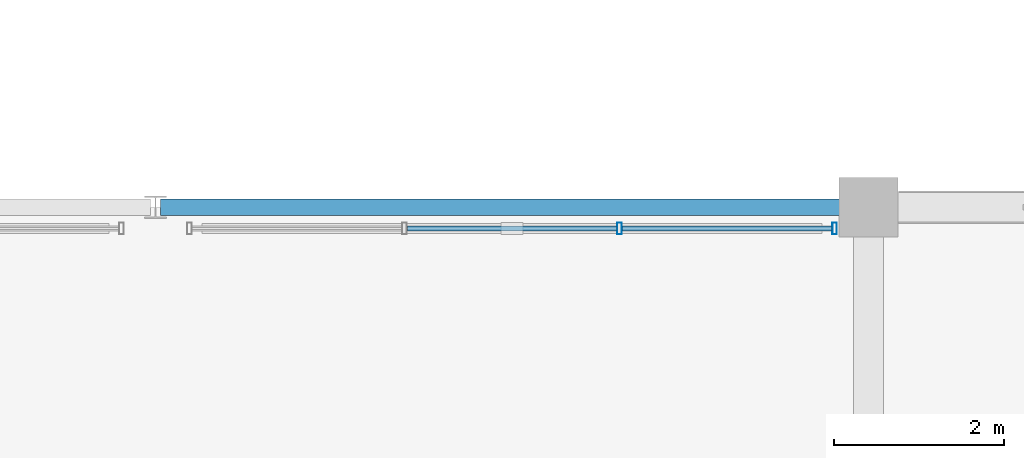
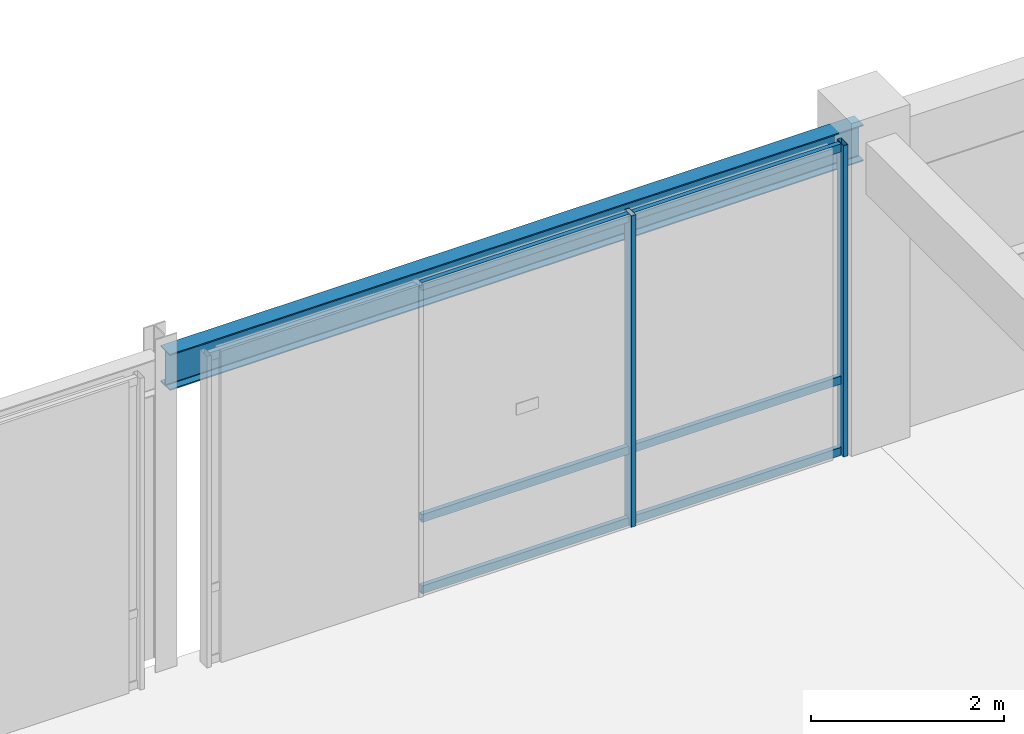
# One storey, part 44 of 152: 8 members, 1 beam, 1 element without a shape of its own.
"""IFC4 building model written with IfcOpenShell, lengths in metres."""

from ifc_helpers import new_model, si_unit, direction, frame, origin, origin_2d, place, context, subcontext, project, spatial, hollow_rectangle, i_section, extrude, material, material_profile, profile_set, type_object, element, aggregate, save


model = new_model("IFC4")

# Units and contexts
model_context = context("Model", 3, precision=1e-05, world=origin(), true_north=direction((0.0, 1.0)))
body_context = subcontext(model_context, "Body", "Model", "MODEL_VIEW")
ifc_project = project(units=[si_unit("LENGTHUNIT", "METRE"), si_unit("AREAUNIT", "SQUARE_METRE"), si_unit("VOLUMEUNIT", "CUBIC_METRE"), si_unit("PLANEANGLEUNIT", "RADIAN"), si_unit("MASSUNIT", "GRAM", prefix="KILO"), si_unit("THERMODYNAMICTEMPERATUREUNIT", "KELVIN"), si_unit("POWERUNIT", "WATT")], contexts=[model_context])

# Site, building, storey
site_placement = place(None, origin())
site = spatial("IfcSite", under=ifc_project, at=site_placement, CompositionType="ELEMENT")
building_placement = place(site_placement, origin())
building = spatial("IfcBuilding", under=site, at=building_placement, Name="Darbajah Civic Hall", CompositionType="ELEMENT")
storey_placement = place(building_placement, frame((0.0, 0.0, 5.39990234375)))
storey = spatial("IfcBuildingStorey", under=building, at=storey_placement, Name="L01", CompositionType="ELEMENT", Elevation=5.39990234375)

# Curtain wall, members
ifc_material_1 = material(Name="Anodised Bronze Aluminium and Low-E Glazing", Category="aluminium")
curtain_wall_type = type_object("IfcCurtainWallType", Name="Unitised Curtain Wall CW-103 7600x3950", PredefinedType="USERDEFINED", material=ifc_material_1)
curtain_wall_placement = place(storey_placement, origin())
curtain_wall = element("IfcCurtainWall", 1, at=curtain_wall_placement, inside=storey, type_object=curtain_wall_type, Name="L01 unitised curtain wall CW-V6-SE-N2-L01", ObjectType="UNITISED CURTAIN WALL", PredefinedType="USERDEFINED")
ifc_material_2 = material(Name="Anodised Bronze Aluminium", Category="aluminium")
ifc_material_profile_1 = material_profile(ifc_material_2, hollow_rectangle(XDim=0.054931640625, YDim=0.139892578125, WallThickness=0.003173828125, at=origin_2d()), Name="ALU MULLION 55x140")
ifc_profile_set_1 = profile_set([ifc_material_profile_1], Name="Anodised Bronze Aluminium")
member_type_1 = type_object("IfcMemberType", Name="ALU MULLION 55x140", PredefinedType="MULLION", material=ifc_profile_set_1)
member_1_placement = place(storey_placement, frame((108.066650390625, 41.75, 0.0), z_axis=(0.0, 0.0, 1.0), x_axis=(1.0, 0.0, 0.0)))
member_1 = element("IfcMember", 2, at=member_1_placement, type_object=member_type_1, Name="CW-V6-SE-N2-L01 mullion 3", PredefinedType="MULLION", context=body_context, shape_type="SweptSolid", body=[
    extrude(hollow_rectangle(XDim=0.054931640625, YDim=0.139892578125, WallThickness=0.003173828125, at=origin_2d()), origin(), (0.0, 0.0, 1.0), 3.93017578125),
])
member_2_placement = place(storey_placement, frame((110.60009765625, 41.75, 0.0), z_axis=(0.0, 0.0, 1.0), x_axis=(1.0, 0.0, 0.0)))
member_2 = element("IfcMember", 3, at=member_2_placement, type_object=member_type_1, Name="CW-V6-SE-N2-L01 mullion 4", PredefinedType="MULLION", context=body_context, shape_type="SweptSolid", body=[
    extrude(hollow_rectangle(XDim=0.054931640625, YDim=0.139892578125, WallThickness=0.003173828125, at=origin_2d()), origin(), (0.0, 0.0, 1.0), 3.93017578125),
])
ifc_material_profile_2 = material_profile(ifc_material_2, hollow_rectangle(XDim=0.054931640625, YDim=0.10009765625, WallThickness=0.0029296875, at=origin_2d()), Name="ALU TRANSOM 55x100")
ifc_profile_set_2 = profile_set([ifc_material_profile_2], Name="Anodised Bronze Aluminium")
member_type_2 = type_object("IfcMemberType", Name="ALU TRANSOM 55x100", PredefinedType="USERDEFINED", material=ifc_profile_set_2)
member_3_placement = place(storey_placement, frame((105.56591796875, 41.75, 0.050048828125), z_axis=(1.0, 0.0, 0.0), x_axis=(0.0, 1.0, 0.0)))
member_3 = element("IfcMember", 4, at=member_3_placement, type_object=member_type_2, Name="CW-V6-SE-N2-L01 transom 2.1", ObjectType="TRANSOM", PredefinedType="USERDEFINED", context=body_context, shape_type="SweptSolid", body=[
    extrude(hollow_rectangle(XDim=0.054931640625, YDim=0.10009765625, WallThickness=0.0029296875, at=origin_2d()), origin(), (0.0, 0.0, 1.0), 2.46826171875),
])
member_4_placement = place(storey_placement, frame((105.56591796875, 41.75, 0.9501953125), z_axis=(1.0, 0.0, 0.0), x_axis=(0.0, 1.0, 0.0)))
member_4 = element("IfcMember", 5, at=member_4_placement, type_object=member_type_2, Name="CW-V6-SE-N2-L01 transom 2.2", ObjectType="TRANSOM", PredefinedType="USERDEFINED", context=body_context, shape_type="SweptSolid", body=[
    extrude(hollow_rectangle(XDim=0.054931640625, YDim=0.10009765625, WallThickness=0.0029296875, at=origin_2d()), origin(), (0.0, 0.0, 1.0), 2.46826171875),
])
member_5_placement = place(storey_placement, frame((105.56591796875, 41.75, 3.880126953125), z_axis=(1.0, 0.0, 0.0), x_axis=(0.0, 1.0, 0.0)))
member_5 = element("IfcMember", 6, at=member_5_placement, type_object=member_type_2, Name="CW-V6-SE-N2-L01 transom 2.3", ObjectType="TRANSOM", PredefinedType="USERDEFINED", context=body_context, shape_type="SweptSolid", body=[
    extrude(hollow_rectangle(XDim=0.054931640625, YDim=0.10009765625, WallThickness=0.0029296875, at=origin_2d()), origin(), (0.0, 0.0, 1.0), 2.46826171875),
])
member_6_placement = place(storey_placement, frame((108.09912109375, 41.75, 0.050048828125), z_axis=(1.0, 0.0, 0.0), x_axis=(0.0, 1.0, 0.0)))
member_6 = element("IfcMember", 7, at=member_6_placement, type_object=member_type_2, Name="CW-V6-SE-N2-L01 transom 3.1", ObjectType="TRANSOM", PredefinedType="USERDEFINED", context=body_context, shape_type="SweptSolid", body=[
    extrude(hollow_rectangle(XDim=0.054931640625, YDim=0.10009765625, WallThickness=0.0029296875, at=origin_2d()), origin(), (0.0, 0.0, 1.0), 2.46826171875),
])
member_7_placement = place(storey_placement, frame((108.09912109375, 41.75, 0.9501953125), z_axis=(1.0, 0.0, 0.0), x_axis=(0.0, 1.0, 0.0)))
member_7 = element("IfcMember", 8, at=member_7_placement, type_object=member_type_2, Name="CW-V6-SE-N2-L01 transom 3.2", ObjectType="TRANSOM", PredefinedType="USERDEFINED", context=body_context, shape_type="SweptSolid", body=[
    extrude(hollow_rectangle(XDim=0.054931640625, YDim=0.10009765625, WallThickness=0.0029296875, at=origin_2d()), origin(), (0.0, 0.0, 1.0), 2.46826171875),
])
member_8_placement = place(storey_placement, frame((108.09912109375, 41.75, 3.880126953125), z_axis=(1.0, 0.0, 0.0), x_axis=(0.0, 1.0, 0.0)))
member_8 = element("IfcMember", 9, at=member_8_placement, type_object=member_type_2, Name="CW-V6-SE-N2-L01 transom 3.3", ObjectType="TRANSOM", PredefinedType="USERDEFINED", context=body_context, shape_type="SweptSolid", body=[
    extrude(hollow_rectangle(XDim=0.054931640625, YDim=0.10009765625, WallThickness=0.0029296875, at=origin_2d()), origin(), (0.0, 0.0, 1.0), 2.46826171875),
])
aggregate(curtain_wall, [member_1, member_2, member_3, member_4, member_5, member_6, member_7, member_8])

# Beam
ifc_material_3 = material(Name="Steel S355JR", Category="steel")
ifc_material_profile_3 = material_profile(ifc_material_3, i_section(OverallWidth=0.1904296875, OverallDepth=0.45703125, WebThickness=0.009033203125, FlangeThickness=0.014404296875, FilletRadius=0.01025390625, at=origin_2d()), Name="UB 457x191x74")
ifc_profile_set_3 = profile_set([ifc_material_profile_3], Name="Steel S355JR")
beam_type = type_object("IfcBeamType", Name="UB 457x191x74", PredefinedType="BEAM", material=ifc_profile_set_3)
beam_placement = place(storey_placement, frame((102.659912109375, 42.0, 3.70166015625), z_axis=(1.0, 0.0, 0.0), x_axis=(0.0, 1.0, 0.0)))
element("IfcBeam", 10, at=beam_placement, inside=storey, type_object=beam_type, Name="L01 beam SB-457", PredefinedType="BEAM", context=body_context, shape_type="SweptSolid", body=[
    extrude(i_section(OverallWidth=0.1904296875, OverallDepth=0.45703125, WebThickness=0.009033203125, FlangeThickness=0.014404296875, FilletRadius=0.01025390625, at=origin_2d()), origin(), (0.0, 0.0, 1.0), 8.280029296875),
])

save(model, "model.ifc")
